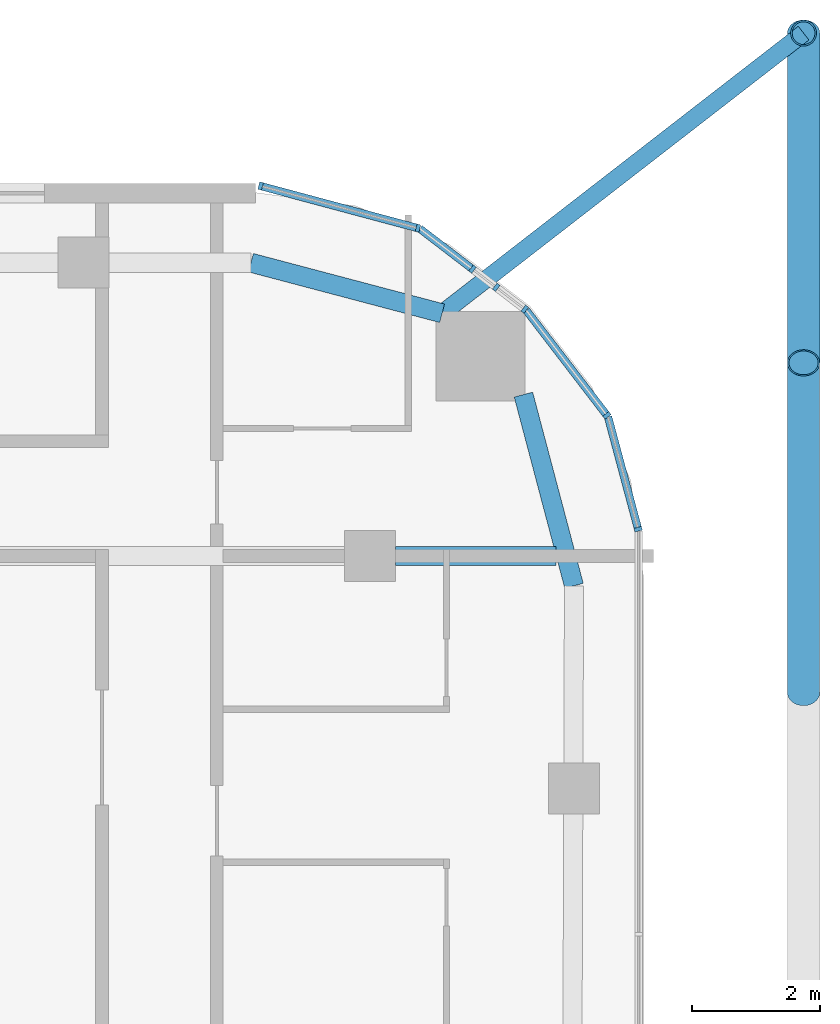
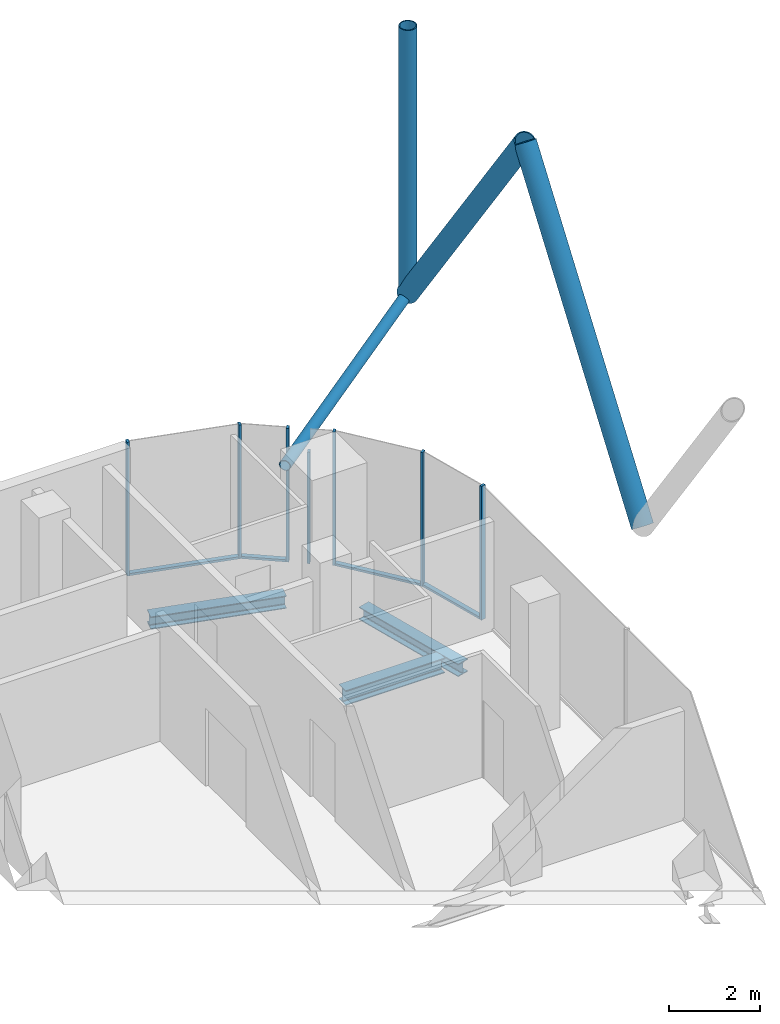
# One storey, part 11 of 28: 15 members, 3 beams, 6 elements without a shape of their own.
"""IFC4 building model written with IfcOpenShell, lengths in metres."""

from ifc_helpers import new_model, si_unit, direction, frame, origin, origin_2d, place, context, subcontext, project, spatial, rectangle, hollow_circle, i_section, extrude, material, layer, layer_set, material_profile, profile_set, type_object, element, aggregate, save


model = new_model("IFC4")

# Units and contexts
model_context = context("Model", 3, precision=1e-05, world=origin(), true_north=direction((0.0, 1.0)))
body_context = subcontext(model_context, "Body", "Model", "MODEL_VIEW")
ifc_project = project(units=[si_unit("LENGTHUNIT", "METRE"), si_unit("AREAUNIT", "SQUARE_METRE"), si_unit("VOLUMEUNIT", "CUBIC_METRE"), si_unit("PLANEANGLEUNIT", "RADIAN"), si_unit("MASSUNIT", "GRAM", prefix="KILO")], contexts=[model_context])

# Site, building, storey
site_placement = place(None, origin())
site = spatial("IfcSite", under=ifc_project, at=site_placement, CompositionType="ELEMENT")
building_placement = place(site_placement, origin())
building = spatial("IfcBuilding", under=site, at=building_placement, Name="Marenta Gate Hotel Tower", CompositionType="ELEMENT")
storey_placement = place(building_placement, frame((0.0, 0.0, 227.300048828125)))
storey = spatial("IfcBuildingStorey", under=building, at=storey_placement, Name="L53", CompositionType="ELEMENT", Elevation=227.300048828125)

# Members
ifc_material_1 = material(Name="Steel S355J2W", Category="steel")
ifc_material_profile_1 = material_profile(ifc_material_1, hollow_circle(Radius=0.203125, WallThickness=0.02490234375, at=origin_2d()), Name="CHS 406.4x25")
ifc_profile_set_1 = profile_set([ifc_material_profile_1], Name="Steel S355J2W")
member_type_1 = type_object("IfcMemberType", Name="Diagrid corner post Z3 CHS 406.4x25", PredefinedType="POST", material=ifc_profile_set_1)
member_1_placement = place(storey_placement, frame((27.800048828125, 25.0, 3.139892578125), z_axis=(0.0, 0.0, 1.0), x_axis=(1.0, 0.0, 0.0)))
element("IfcMember", 1, at=member_1_placement, inside=storey, type_object=member_type_1, Name="L53-DR-1", PredefinedType="POST", context=body_context, shape_type="SweptSolid", body=[
    extrude(hollow_circle(Radius=0.203125, WallThickness=0.02490234375, at=origin_2d()), origin(), (0.0, 0.0, 1.0), 7.199951171875),
])
ifc_material_2 = material(Name="Steel S355J2W", Category="steel")
ifc_material_profile_2 = material_profile(ifc_material_2, hollow_circle(Radius=0.25390625, WallThickness=0.02490234375, at=origin_2d()), Name="CHS 508x25")
ifc_profile_set_2 = profile_set([ifc_material_profile_2], Name="Steel S355J2W")
member_type_2 = type_object("IfcMemberType", Name="Diagrid diagonal Z3 CHS 508x25", PredefinedType="BRACE", material=ifc_profile_set_2)
member_2_placement = place(storey_placement, frame((27.800048828125, 25.0, 3.139892578125), z_axis=(0.0, -0.583260841117, 0.812284919975), x_axis=(1.0, 0.0, 0.0)))
element("IfcMember", 2, at=member_2_placement, inside=storey, type_object=member_type_2, Name="L53-DG-1", PredefinedType="BRACE", context=body_context, shape_type="SweptSolid", body=[
    extrude(hollow_circle(Radius=0.25390625, WallThickness=0.02490234375, at=origin_2d()), origin(), (0.0, 0.0, 1.0), 8.86376953125),
])
member_3_placement = place(storey_placement, frame((27.800048828125, 14.659912109375, 3.139892578125), z_axis=(0.0, 0.583279014058, 0.812271870595), x_axis=(-1.0, 0.0, 0.0)))
element("IfcMember", 3, at=member_3_placement, inside=storey, type_object=member_type_2, Name="L53-DG-2", PredefinedType="BRACE", context=body_context, shape_type="SweptSolid", body=[
    extrude(hollow_circle(Radius=0.25390625, WallThickness=0.02490234375, at=origin_2d()), origin(), (0.0, 0.0, 1.0), 8.864013671875),
])

# Beams
ifc_material_3 = material(Name="Steel S355", Category="steel")
ifc_material_profile_3 = material_profile(ifc_material_3, i_section(OverallWidth=0.300048828125, OverallDepth=0.340087890625, WebThickness=0.011962890625, FlangeThickness=0.021484375, FilletRadius=0.027099609375, at=origin_2d()), Name="HEB 340")
ifc_profile_set_3 = profile_set([ifc_material_profile_3], Name="Steel S355")
beam_type_1 = type_object("IfcBeamType", Name="Edge beam HEB 340", PredefinedType="SPANDREL", material=ifc_profile_set_3)
beam_1_placement = place(storey_placement, frame((19.134521484375, 21.39990234375, -0.429931640625), z_axis=(0.9667647815, -0.25566747398, 0.0), x_axis=(0.25566747398, 0.9667647815, 0.0)))
element("IfcBeam", 4, at=beam_1_placement, inside=storey, type_object=beam_type_1, Name="L53-EB-20", PredefinedType="SPANDREL", context=body_context, shape_type="SweptSolid", body=[
    extrude(i_section(OverallWidth=0.300048828125, OverallDepth=0.340087890625, WebThickness=0.011962890625, FlangeThickness=0.021484375, FilletRadius=0.027099609375, at=origin_2d()), origin(), (0.0, 0.0, 1.0), 3.1005859375),
])
beam_2_placement = place(storey_placement, frame((23.4072265625, 19.332275390625, -0.429931640625), z_axis=(0.255648013319, -0.966769927794, 0.0), x_axis=(0.966769927794, 0.255648013319, 0.0)))
element("IfcBeam", 5, at=beam_2_placement, inside=storey, type_object=beam_type_1, Name="L53-EB-21", PredefinedType="SPANDREL", context=body_context, shape_type="SweptSolid", body=[
    extrude(i_section(OverallWidth=0.300048828125, OverallDepth=0.340087890625, WebThickness=0.011962890625, FlangeThickness=0.021484375, FilletRadius=0.027099609375, at=origin_2d()), origin(), (0.0, 0.0, 1.0), 3.100830078125),
])

# Member
ifc_material_4 = material(Name="Steel S355J2W", Category="steel")
ifc_material_profile_4 = material_profile(ifc_material_4, hollow_circle(Radius=0.136474609375, WallThickness=0.012451171875, at=origin_2d()), Name="CHS 273x12.5")
ifc_profile_set_4 = profile_set([ifc_material_profile_4], Name="Steel S355J2W")
member_type_3 = type_object("IfcMemberType", Name="Floor tie CHS 273x12.5", PredefinedType="STRUT", material=ifc_profile_set_4)
member_4_placement = place(storey_placement, frame((27.800048828125, 25.0, 3.139892578125), z_axis=(-0.790398962363, -0.61259242592, 0.0), x_axis=(0.61259242592, -0.790398962363, 0.0)))
element("IfcMember", 6, at=member_4_placement, inside=storey, type_object=member_type_3, Name="L53-DR-7", PredefinedType="STRUT", context=body_context, shape_type="SweptSolid", body=[
    extrude(hollow_circle(Radius=0.136474609375, WallThickness=0.012451171875, at=origin_2d()), origin(), (0.0, 0.0, 1.0), 7.163330078125),
])

# Beam
ifc_material_5 = material(Name="Steel S355", Category="steel")
ifc_material_profile_5 = material_profile(ifc_material_5, i_section(OverallWidth=0.300048828125, OverallDepth=0.39990234375, WebThickness=0.013427734375, FlangeThickness=0.02392578125, FilletRadius=0.027099609375, at=origin_2d()), Name="HEB 400")
ifc_profile_set_5 = profile_set([ifc_material_profile_5], Name="Steel S355")
beam_type_2 = type_object("IfcBeamType", Name="Girder HEB 400", PredefinedType="BEAM", material=ifc_profile_set_5)
beam_3_placement = place(storey_placement, frame((21.39990234375, 16.800048828125, -0.4599609375), z_axis=(1.0, 0.0, 0.0), x_axis=(0.0, 1.0, 0.0)))
element("IfcBeam", 7, at=beam_3_placement, inside=storey, type_object=beam_type_2, Name="L53-GD-33", PredefinedType="BEAM", context=body_context, shape_type="SweptSolid", body=[
    extrude(i_section(OverallWidth=0.300048828125, OverallDepth=0.39990234375, WebThickness=0.013427734375, FlangeThickness=0.02392578125, FilletRadius=0.027099609375, at=origin_2d()), origin(), (0.0, 0.0, 1.0), 2.521728515625),
])

# Curtain wall, member
ifc_material_6 = material(Name="Tinted insulated glass in bronze anodised frame", Category="glass")
ifc_layer = layer(ifc_material_6, 0.1201171875)
ifc_layer_set = layer_set([ifc_layer], Name="Tinted insulated glass in bronze anodised frame")
curtain_wall_type = type_object("IfcCurtainWallType", Name="Tower unitised curtain wall CW1", PredefinedType="NOTDEFINED", material=ifc_layer_set)
curtain_wall_1_placement = place(storey_placement, origin())
curtain_wall_1 = element("IfcCurtainWall", 8, at=curtain_wall_1_placement, inside=storey, type_object=curtain_wall_type, Name="CW1 run G20", PredefinedType="NOTDEFINED")
ifc_material_7 = material(Name="Bronze anodised aluminium", Category="aluminium")
ifc_material_profile_6 = material_profile(ifc_material_7, rectangle(XDim=0.1201171875, YDim=0.06005859375, at=origin_2d()), Name="Mullion CW1 60x120 bronze anodised aluminium")
ifc_profile_set_6 = profile_set([ifc_material_profile_6], Name="Bronze anodised aluminium")
member_type_4 = type_object("IfcMemberType", Name="Mullion CW1 60x120 bronze anodised aluminium", PredefinedType="MULLION", material=ifc_profile_set_6)
member_5_placement = place(storey_placement, frame((25.206298828125, 17.220947265625, 0.0), z_axis=(0.0, 0.0, 1.0), x_axis=(-0.965924453932, -0.258824166754, 0.0)))
member_5 = element("IfcMember", 9, at=member_5_placement, type_object=member_type_4, Name="CW1 mullion 1", PredefinedType="MULLION", context=body_context, shape_type="SweptSolid", body=[
    extrude(rectangle(XDim=0.1201171875, YDim=0.06005859375, at=origin_2d()), origin(), (0.0, 0.0, 1.0), 3.599853515625),
])

curtain_wall_2_placement = place(storey_placement, origin())
curtain_wall_2 = element("IfcCurtainWall", 10, at=curtain_wall_2_placement, inside=storey, type_object=curtain_wall_type, Name="CW1 run G21", PredefinedType="NOTDEFINED")
member_6_placement = place(storey_placement, frame((24.7158203125, 19.00634765625, 0.0), z_axis=(0.0, 0.0, 1.0), x_axis=(-0.793333335233, -0.608787499222, 0.0)))
member_6 = element("IfcMember", 11, at=member_6_placement, type_object=member_type_4, Name="CW1 mullion 1", PredefinedType="MULLION", context=body_context, shape_type="SweptSolid", body=[
    extrude(rectangle(XDim=0.1201171875, YDim=0.06005859375, at=origin_2d()), origin(), (0.0, 0.0, 1.0), 3.599853515625),
])

curtain_wall_3_placement = place(storey_placement, origin())
curtain_wall_3 = element("IfcCurtainWall", 12, at=curtain_wall_3_placement, inside=storey, type_object=curtain_wall_type, Name="CW1 run G22", PredefinedType="NOTDEFINED")
member_7_placement = place(storey_placement, frame((23.4287109375, 20.6708984375, 0.0), z_axis=(0.0, 0.0, 1.0), x_axis=(-0.608769572677, -0.793347091368, 0.0)))
member_7 = element("IfcMember", 13, at=member_7_placement, type_object=member_type_4, Name="CW1 mullion 1", PredefinedType="MULLION", context=body_context, shape_type="SweptSolid", body=[
    extrude(rectangle(XDim=0.1201171875, YDim=0.06005859375, at=origin_2d()), origin(), (0.0, 0.0, 1.0), 3.599853515625),
])
aggregate(curtain_wall_3, [member_7])

curtain_wall_4_placement = place(storey_placement, origin())
curtain_wall_4 = element("IfcCurtainWall", 14, at=curtain_wall_4_placement, inside=storey, type_object=curtain_wall_type, Name="CW1 run G23", PredefinedType="NOTDEFINED")
member_8_placement = place(storey_placement, frame((22.98046875, 21.014892578125, 0.0), z_axis=(0.0, 0.0, 1.0), x_axis=(-0.608843780404, -0.793290143052, 0.0)))
member_8 = element("IfcMember", 15, at=member_8_placement, type_object=member_type_4, Name="CW1 mullion 1", PredefinedType="MULLION", context=body_context, shape_type="SweptSolid", body=[
    extrude(rectangle(XDim=0.1201171875, YDim=0.06005859375, at=origin_2d()), origin(), (0.0, 0.0, 1.0), 3.00048828125),
])
aggregate(curtain_wall_4, [member_8])

curtain_wall_5_placement = place(storey_placement, origin())
curtain_wall_5 = element("IfcCurtainWall", 16, at=curtain_wall_5_placement, inside=storey, type_object=curtain_wall_type, Name="CW1 run G24", PredefinedType="NOTDEFINED")
member_9_placement = place(storey_placement, frame((22.60888671875, 21.300048828125, 0.0), z_axis=(0.0, 0.0, 1.0), x_axis=(-0.60877235005, -0.793344960162, 0.0)))
member_9 = element("IfcMember", 17, at=member_9_placement, type_object=member_type_4, Name="CW1 mullion 1", PredefinedType="MULLION", context=body_context, shape_type="SweptSolid", body=[
    extrude(rectangle(XDim=0.1201171875, YDim=0.06005859375, at=origin_2d()), origin(), (0.0, 0.0, 1.0), 3.599853515625),
])

# Curtain wall, members
curtain_wall_6_placement = place(storey_placement, origin())
curtain_wall_6 = element("IfcCurtainWall", 18, at=curtain_wall_6_placement, inside=storey, type_object=curtain_wall_type, Name="CW1 run G25", PredefinedType="NOTDEFINED")
member_10_placement = place(storey_placement, frame((21.75341796875, 21.94189453125, 0.0), z_axis=(0.0, 0.0, 1.0), x_axis=(-0.258804895175, -0.96592961764, 0.0)))
member_10 = element("IfcMember", 19, at=member_10_placement, type_object=member_type_4, Name="CW1 mullion 1", PredefinedType="MULLION", context=body_context, shape_type="SweptSolid", body=[
    extrude(rectangle(XDim=0.1201171875, YDim=0.06005859375, at=origin_2d()), origin(), (0.0, 0.0, 1.0), 3.599853515625),
])
member_11_placement = place(storey_placement, frame((19.285400390625, 22.603271484375, 0.0), z_axis=(0.0, 0.0, 1.0), x_axis=(-0.258804895175, -0.96592961764, 0.0)))
member_11 = element("IfcMember", 20, at=member_11_placement, type_object=member_type_4, Name="CW1 mullion 2", PredefinedType="MULLION", context=body_context, shape_type="SweptSolid", body=[
    extrude(rectangle(XDim=0.1201171875, YDim=0.06005859375, at=origin_2d()), origin(), (0.0, 0.0, 1.0), 3.599853515625),
])

# Member
ifc_material_8 = material(Name="Bronze anodised aluminium", Category="aluminium")
ifc_material_profile_7 = material_profile(ifc_material_8, rectangle(XDim=0.1201171875, YDim=0.06005859375, at=origin_2d()), Name="Transom CW1 60x120 bronze anodised aluminium")
ifc_profile_set_7 = profile_set([ifc_material_profile_7], Name="Bronze anodised aluminium")
member_type_5 = type_object("IfcMemberType", Name="Transom CW1 60x120 bronze anodised aluminium", PredefinedType="USERDEFINED", material=ifc_profile_set_7)
member_12_placement = place(storey_placement, frame((25.198486328125, 17.249755859375, 0.030029296875), z_axis=(-0.258865341007, 0.96591342015, 0.0), x_axis=(-0.96591342015, -0.258865341007, 0.0)))
member_12 = element("IfcMember", 21, at=member_12_placement, type_object=member_type_5, Name="CW1 transom 1.1", ObjectType="TRANSOM", PredefinedType="USERDEFINED", context=body_context, shape_type="SweptSolid", body=[
    extrude(rectangle(XDim=0.1201171875, YDim=0.06005859375, at=origin_2d()), origin(), (0.0, 0.0, 1.0), 1.793701171875),
])

aggregate(curtain_wall_1, [member_5, member_12])

member_13_placement = place(storey_placement, frame((24.69775390625, 19.030029296875, 0.030029296875), z_axis=(-0.608787337271, 0.79333345951, 0.0), x_axis=(-0.79333345951, -0.608787337271, 0.0)))
member_13 = element("IfcMember", 22, at=member_13_placement, type_object=member_type_5, Name="CW1 transom 1.1", ObjectType="TRANSOM", PredefinedType="USERDEFINED", context=body_context, shape_type="SweptSolid", body=[
    extrude(rectangle(XDim=0.1201171875, YDim=0.06005859375, at=origin_2d()), origin(), (0.0, 0.0, 1.0), 2.045166015625),
])

aggregate(curtain_wall_2, [member_6, member_13])

member_14_placement = place(storey_placement, frame((22.585205078125, 21.318359375, 0.030029296875), z_axis=(-0.793466512091, 0.608613912255, 0.0), x_axis=(-0.608613912255, -0.793466512091, 0.0)))
member_14 = element("IfcMember", 23, at=member_14_placement, type_object=member_type_5, Name="CW1 transom 1.1", ObjectType="TRANSOM", PredefinedType="USERDEFINED", context=body_context, shape_type="SweptSolid", body=[
    extrude(rectangle(XDim=0.1201171875, YDim=0.06005859375, at=origin_2d()), origin(), (0.0, 0.0, 1.0), 1.01171875),
])

aggregate(curtain_wall_5, [member_9, member_14])

member_15_placement = place(storey_placement, frame((21.724609375, 21.94970703125, 0.030029296875), z_axis=(-0.965930582093, 0.258801295547, 0.0), x_axis=(-0.258801295547, -0.965930582093, 0.0)))
member_15 = element("IfcMember", 24, at=member_15_placement, type_object=member_type_5, Name="CW1 transom 1.1", ObjectType="TRANSOM", PredefinedType="USERDEFINED", context=body_context, shape_type="SweptSolid", body=[
    extrude(rectangle(XDim=0.1201171875, YDim=0.06005859375, at=origin_2d()), origin(), (0.0, 0.0, 1.0), 2.4951171875),
])

aggregate(curtain_wall_6, [member_10, member_11, member_15])

save(model, "model.ifc")
